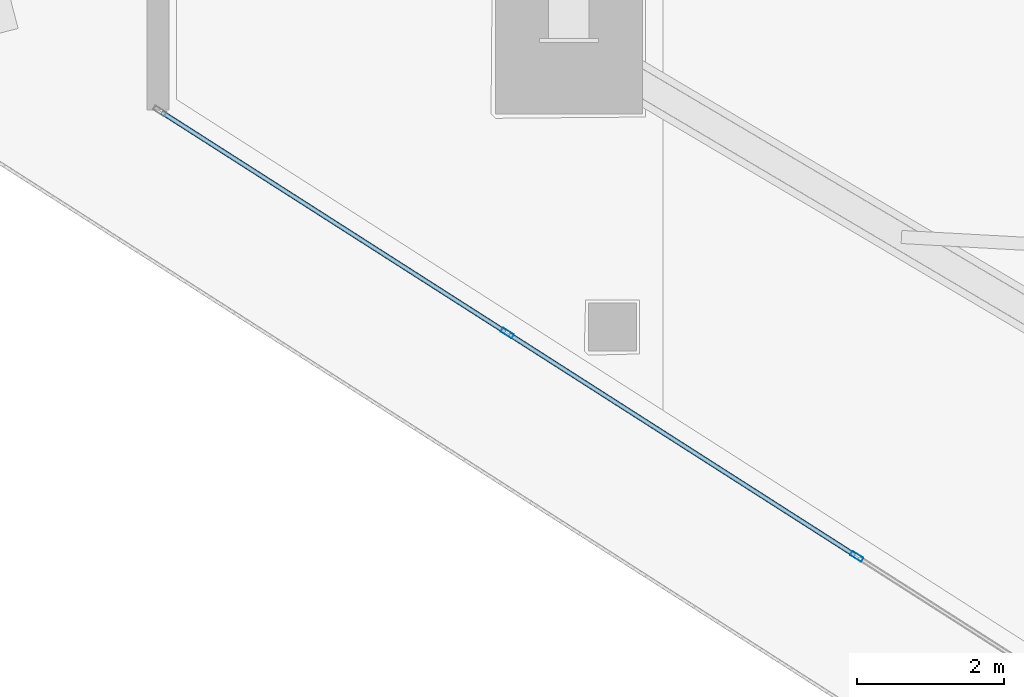
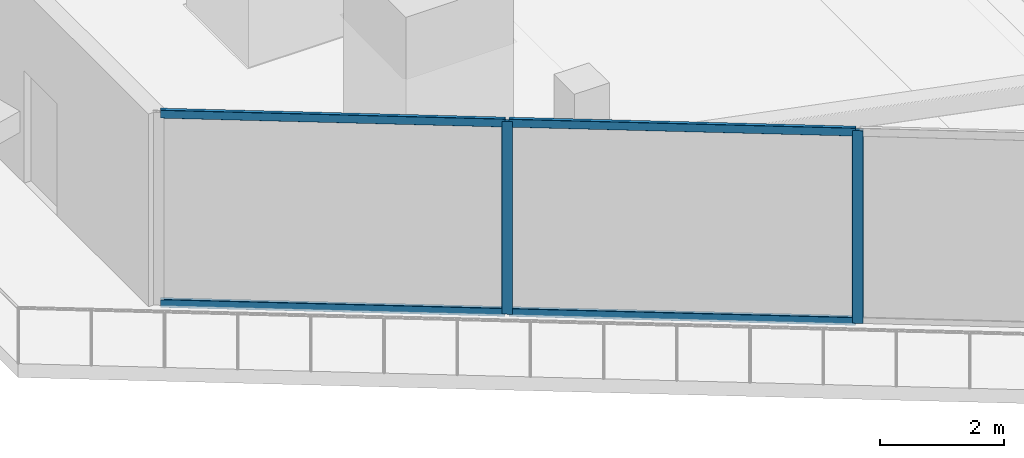
# One storey, part 5 of 39: 6 members, 1 element without a shape of its own.
"""IFC4 building model written with IfcOpenShell, lengths in metres."""

import ifcopenshell
import ifcopenshell.guid

model = None  # the IFC model being written
_history = None  # IfcOwnerHistory: only IFC2X3 demands one
_inside = {}  # id of a spatial element -> (the spatial element, [elements in it])
_under = {}  # id of a project, library or spatial element -> (it, [spatial elements below it])
_declared = {}  # id of a project -> (the project, [libraries it declares])
_typed = {}  # id of a type object -> (the type object, [elements of that type])
_made_of = {}  # id of a material, layer set ... -> (it, [elements and type objects made of it])


def new_model(schema):
    """Start an empty IFC model of exactly this schema.

    Asked for "IFC4X3", IfcOpenShell would pick the latest addendum, in which some entities
    have other attributes; the version numbers below select the first issue.
    IFC2X3 requires an IfcOwnerHistory on every rooted entity: one is made here for all.
    """
    global model, _history
    if schema == "IFC4X3":
        model = ifcopenshell.file(schema_version=(4, 3, 0, 0))
    else:
        model = ifcopenshell.file(schema=schema)
    _inside.clear()
    _under.clear()
    _declared.clear()
    _typed.clear()
    _made_of.clear()
    _history = None
    if model.schema == "IFC2X3":
        org = make("IfcOrganization", Name="unknown")
        user = make(
            "IfcPersonAndOrganization",
            ThePerson=make("IfcPerson", FamilyName="unknown"),
            TheOrganization=org,
        )
        app = make(
            "IfcApplication",
            ApplicationDeveloper=org,
            Version="unknown",
            ApplicationFullName="unknown",
            ApplicationIdentifier="unknown",
        )
        _history = make(
            "IfcOwnerHistory",
            OwningUser=user,
            OwningApplication=app,
            ChangeAction="ADDED",
            CreationDate=0,
        )
    return model


def make(cls, **values):
    """One entity of the class cls with the attributes given. An attribute that is None is left unset."""
    return model.create_entity(
        cls, **{name: value for name, value in values.items() if value is not None}
    )


def rooted(cls, **values):
    """An entity with a GlobalId (a new one), such as an element, a storey or a relation."""
    return make(cls, GlobalId=ifcopenshell.guid.new(), OwnerHistory=_history, **values)


def si_unit(unit_type, name, prefix=None):
    """IfcSIUnit, for example si_unit("LENGTHUNIT", "METRE", prefix="MILLI")."""
    return make("IfcSIUnit", UnitType=unit_type, Prefix=prefix, Name=name)


def assignment(units):
    """IfcUnitAssignment: the units of a project."""
    return None if units is None else make("IfcUnitAssignment", Units=units)


def point(xyz):
    """IfcCartesianPoint."""
    return None if xyz is None else make("IfcCartesianPoint", Coordinates=xyz)


def direction(xyz):
    """IfcDirection."""
    return None if xyz is None else make("IfcDirection", DirectionRatios=xyz)


def frame(location, z_axis=None, x_axis=None):
    """IfcAxis2Placement3D, a coordinate frame: its origin and axes. An axis left out is left unset."""
    return make(
        "IfcAxis2Placement3D",
        Location=point(location),
        Axis=direction(z_axis),
        RefDirection=direction(x_axis),
    )


def frame_2d(location, x_axis=None):
    """IfcAxis2Placement2D, a coordinate frame in the plane: its origin and x axis."""
    return make(
        "IfcAxis2Placement2D", Location=point(location), RefDirection=direction(x_axis)
    )


def origin():
    """The frame at (0, 0, 0) with its axes left unset."""
    return frame((0.0, 0.0, 0.0))


def origin_2d():
    """The frame at (0, 0) in the plane with its x axis left unset."""
    return frame_2d((0.0, 0.0))


def place(relative_to, where):
    """IfcLocalPlacement: puts the frame where relative to a parent placement (None: the world)."""
    return make(
        "IfcLocalPlacement", PlacementRelTo=relative_to, RelativePlacement=where
    )


def context(
    kind, dimensions, precision=None, world=None, true_north=None, identifier=None
):
    """IfcGeometricRepresentationContext, for example the 3D "Model" context."""
    return make(
        "IfcGeometricRepresentationContext",
        ContextIdentifier=identifier,
        ContextType=kind,
        CoordinateSpaceDimension=dimensions,
        Precision=precision,
        WorldCoordinateSystem=world,
        TrueNorth=true_north,
    )


def subcontext(parent, identifier, kind, view, scale=None):
    """IfcGeometricRepresentationSubContext, for example "Body" below "Model"."""
    return make(
        "IfcGeometricRepresentationSubContext",
        ContextIdentifier=identifier,
        ContextType=kind,
        ParentContext=parent,
        TargetScale=scale,
        TargetView=view,
    )


def project(units=None, contexts=None):
    """IfcProject with its units and contexts."""
    return rooted(
        "IfcProject",
        Name="project",
        RepresentationContexts=contexts,
        UnitsInContext=assignment(units),
    )


def spatial(cls, under=None, at=None, **own):
    """A site, building, storey or space (cls), placed at a placement, below another one or the project."""
    s = rooted(cls, ObjectPlacement=at, **own)
    if under is not None:
        _under.setdefault(under.id(), (under, []))[1].append(s)
    return s


def profile(cls, at=None, kind="AREA", **sizes):
    """A parametric profile (cls). Its sizes go by their IFC names, for example OverallWidth=200.0."""
    return make(cls, ProfileType=kind, Position=at, **sizes)


def hollow_rectangle(**sizes):
    """IfcRectangleHollowProfileDef."""
    return profile("IfcRectangleHollowProfileDef", **sizes)


def extrude(swept, where, along, depth):
    """IfcExtrudedAreaSolid: the profile swept, set in the frame where, extruded along a direction by depth."""
    return make(
        "IfcExtrudedAreaSolid",
        SweptArea=swept,
        Position=where,
        ExtrudedDirection=direction(along),
        Depth=depth,
    )


def shape(context_of_items, identifier, shape_type, items):
    """IfcShapeRepresentation: the items that make up one representation, for example the "Body"."""
    return make(
        "IfcShapeRepresentation",
        ContextOfItems=context_of_items,
        RepresentationIdentifier=identifier,
        RepresentationType=shape_type,
        Items=items,
    )


def material(Name=None, Category=None):
    """IfcMaterial."""
    return make("IfcMaterial", Name=Name, Category=Category)


def layer(
    of_material, thickness, ventilated=None, Name=None, Category=None, Priority=None
):
    """IfcMaterialLayer: one layer of a wall or slab, of a material (None: an air gap)."""
    return make(
        "IfcMaterialLayer",
        Material=of_material,
        LayerThickness=thickness,
        IsVentilated=ventilated,
        Name=Name,
        Category=Category,
        Priority=Priority,
    )


def layer_set(layers, Name=None):
    """IfcMaterialLayerSet."""
    return make("IfcMaterialLayerSet", MaterialLayers=layers, LayerSetName=Name)


def material_profile(
    of_material, cross_section, Name=None, Category=None, Priority=None
):
    """IfcMaterialProfile: a cross section and its material."""
    return make(
        "IfcMaterialProfile",
        Name=Name,
        Material=of_material,
        Profile=cross_section,
        Priority=Priority,
        Category=Category,
    )


def profile_set(profiles, Name=None, composite=None):
    """IfcMaterialProfileSet."""
    return make(
        "IfcMaterialProfileSet",
        Name=Name,
        MaterialProfiles=profiles,
        CompositeProfile=composite,
    )


def made_of(thing, what):
    """Note that an element or type object is made of a material, layer set ...; save() writes the relation."""
    if what is not None:
        _made_of.setdefault(what.id(), (what, []))[1].append(thing)
    return thing


def type_object(cls, material=None, **own):
    """A type object (cls), such as IfcWallType, which elements share."""
    return made_of(rooted(cls, **own), material)


def element(
    cls,
    number,
    at=None,
    inside=None,
    cuts=None,
    type_object=None,
    material=None,
    context=None,
    identifier="Body",
    shape_type=None,
    held_by="IfcProductDefinitionShape",
    body=None,
    shapes=None,
    **own,
):
    """One element of the class cls, such as IfcWall. Its Tag is "e" and its number.

    at: its placement. inside: the storey or other place that contains it. cuts: it is an
    opening in that element (IfcRelVoidsElement). A single representation is given by context,
    identifier, shape_type and body (its items); several are given by shapes. held_by: the class
    of the entity that holds the representations. save() writes the other relations.
    """
    e = rooted(cls, Tag="e%d" % number, ObjectPlacement=at, **own)
    if body is not None:
        shapes = [shape(context, identifier, shape_type, body)]
    if shapes is not None:
        e.Representation = make(held_by, Representations=shapes)
    if inside is not None:
        _inside.setdefault(inside.id(), (inside, []))[1].append(e)
    if cuts is not None:
        rooted(
            "IfcRelVoidsElement", RelatingBuildingElement=cuts, RelatedOpeningElement=e
        )
    if type_object is not None:
        _typed.setdefault(type_object.id(), (type_object, []))[1].append(e)
    return made_of(e, material)


def aggregate(whole, parts):
    """IfcRelAggregates: a whole, such as a stair, and the parts it consists of."""
    return rooted("IfcRelAggregates", RelatingObject=whole, RelatedObjects=parts)


def save(model, path):
    """Write the relations noted so far, then the file.

    IfcRelAggregates (storeys below a building ...), IfcRelContainedInSpatialStructure (elements
    in a storey), IfcRelDefinesByType, IfcRelAssociatesMaterial and IfcRelDeclares: one each for
    every whole, place, type object, material and project.
    """
    for whole, parts in _under.values():
        aggregate(whole, parts)
    for where, things in _inside.values():
        rooted(
            "IfcRelContainedInSpatialStructure",
            RelatedElements=things,
            RelatingStructure=where,
        )
    for kind, things in _typed.values():
        rooted("IfcRelDefinesByType", RelatedObjects=things, RelatingType=kind)
    for what, things in _made_of.values():
        rooted("IfcRelAssociatesMaterial", RelatedObjects=things, RelatingMaterial=what)
    for by, libraries in _declared.values():
        rooted("IfcRelDeclares", RelatingContext=by, RelatedDefinitions=libraries)
    model.write(path)


model = new_model("IFC4")

# Units and contexts
model_context = context("Model", 3, precision=1e-05, world=origin(), true_north=direction((0.0, 1.0)))
body_context = subcontext(model_context, "Body", "Model", "MODEL_VIEW")
ifc_project = project(units=[si_unit("LENGTHUNIT", "METRE"), si_unit("AREAUNIT", "SQUARE_METRE"), si_unit("VOLUMEUNIT", "CUBIC_METRE"), si_unit("PLANEANGLEUNIT", "RADIAN"), si_unit("MASSUNIT", "GRAM", prefix="KILO")], contexts=[model_context])

# Site, building, storey
site_placement = place(None, origin())
site = spatial("IfcSite", under=ifc_project, at=site_placement, CompositionType="ELEMENT")
building_placement = place(site_placement, origin())
building = spatial("IfcBuilding", under=site, at=building_placement, Name="Qorvath Tower", CompositionType="ELEMENT")
storey_placement = place(building_placement, frame((0.0, 0.0, 201.0)))
storey = spatial("IfcBuildingStorey", under=building, at=storey_placement, Name="L46", CompositionType="ELEMENT", Elevation=201.0)

# Curtain wall, members
ifc_material_1 = material(Name="Anodised aluminium and triple low-E glass", Category="aluminium")
ifc_layer = layer(ifc_material_1, 0.179931640625)
ifc_layer_set = layer_set([ifc_layer], Name="CW-SYS-3")
curtain_wall_type = type_object("IfcCurtainWallType", Name="CW-SYS-3", PredefinedType="NOTDEFINED", material=ifc_layer_set)
curtain_wall_placement = place(storey_placement, origin())
curtain_wall = element("IfcCurtainWall", 1, at=curtain_wall_placement, inside=storey, type_object=curtain_wall_type, Name="Curtain Wall CW-3 CW-T-L46-2.1", PredefinedType="NOTDEFINED")
ifc_material_2 = material(Name="Anodised aluminium 6063-T6", Category="aluminium")
ifc_material_profile_1 = material_profile(ifc_material_2, hollow_rectangle(XDim=0.06494140625, YDim=0.179931640625, WallThickness=0.00341796875, InnerFilletRadius=0.00341796875, OuterFilletRadius=0.007080078125, at=origin_2d()), Name="CWM 180x65")
ifc_profile_set_1 = profile_set([ifc_material_profile_1], Name="Anodised aluminium 6063-T6")
member_type_1 = type_object("IfcMemberType", Name="CWM-180", PredefinedType="MULLION", material=ifc_profile_set_1)
member_1_placement = place(storey_placement, frame((-50.01025390625, -6.5087890625, 0.0), z_axis=(0.0, 0.0, 1.0), x_axis=(0.538533623725, 0.842604020948, 0.0)))
member_1 = element("IfcMember", 2, at=member_1_placement, type_object=member_type_1, Name="CW-3 mullion 2", PredefinedType="MULLION", context=body_context, shape_type="SweptSolid", body=[
    extrude(hollow_rectangle(XDim=0.06494140625, YDim=0.179931640625, WallThickness=0.00341796875, InnerFilletRadius=0.00341796875, OuterFilletRadius=0.007080078125, at=origin_2d()), origin(), (0.0, 0.0, 1.0), 3.780029296875),
])
member_2_placement = place(storey_placement, frame((-45.2578125, -9.54638671875, 0.0), z_axis=(0.0, 0.0, 1.0), x_axis=(0.538533623725, 0.842604020948, 0.0)))
member_2 = element("IfcMember", 3, at=member_2_placement, type_object=member_type_1, Name="CW-3 mullion 3", PredefinedType="MULLION", context=body_context, shape_type="SweptSolid", body=[
    extrude(hollow_rectangle(XDim=0.06494140625, YDim=0.179931640625, WallThickness=0.00341796875, InnerFilletRadius=0.00341796875, OuterFilletRadius=0.007080078125, at=origin_2d()), origin(), (0.0, 0.0, 1.0), 3.780029296875),
])
ifc_material_3 = material(Name="Anodised aluminium 6063-T6", Category="aluminium")
ifc_material_profile_2 = material_profile(ifc_material_3, hollow_rectangle(XDim=0.06494140625, YDim=0.159912109375, WallThickness=0.00341796875, InnerFilletRadius=0.00341796875, OuterFilletRadius=0.007080078125, at=origin_2d()), Name="CWT 160x65")
ifc_profile_set_2 = profile_set([ifc_material_profile_2], Name="Anodised aluminium 6063-T6")
member_type_2 = type_object("IfcMemberType", Name="CWT-160", PredefinedType="USERDEFINED", material=ifc_profile_set_2)
member_3_placement = place(storey_placement, frame((-54.7080078125, -3.50634765625, 0.032470703125), z_axis=(0.842595217297, -0.538547397903, 0.0), x_axis=(0.538547397903, 0.842595217297, 0.0)))
member_3 = element("IfcMember", 4, at=member_3_placement, type_object=member_type_2, Name="CW-3 transom 1.1", ObjectType="TRANSOM", PredefinedType="USERDEFINED", context=body_context, shape_type="SweptSolid", body=[
    extrude(hollow_rectangle(XDim=0.06494140625, YDim=0.159912109375, WallThickness=0.00341796875, InnerFilletRadius=0.00341796875, OuterFilletRadius=0.007080078125, at=origin_2d()), origin(), (0.0, 0.0, 1.0), 5.54296875),
])
member_4_placement = place(storey_placement, frame((-54.7080078125, -3.50634765625, 3.74755859375), z_axis=(0.842595217297, -0.538547397903, 0.0), x_axis=(0.538547397903, 0.842595217297, 0.0)))
member_4 = element("IfcMember", 5, at=member_4_placement, type_object=member_type_2, Name="CW-3 transom 1.2", ObjectType="TRANSOM", PredefinedType="USERDEFINED", context=body_context, shape_type="SweptSolid", body=[
    extrude(hollow_rectangle(XDim=0.06494140625, YDim=0.159912109375, WallThickness=0.00341796875, InnerFilletRadius=0.00341796875, OuterFilletRadius=0.007080078125, at=origin_2d()), origin(), (0.0, 0.0, 1.0), 5.54296875),
])
member_5_placement = place(storey_placement, frame((-49.98291015625, -6.5263671875, 0.032470703125), z_axis=(0.842606844645, -0.538529205667, 0.0), x_axis=(0.538529205667, 0.842606844645, 0.0)))
member_5 = element("IfcMember", 6, at=member_5_placement, type_object=member_type_2, Name="CW-3 transom 2.1", ObjectType="TRANSOM", PredefinedType="USERDEFINED", context=body_context, shape_type="SweptSolid", body=[
    extrude(hollow_rectangle(XDim=0.06494140625, YDim=0.159912109375, WallThickness=0.00341796875, InnerFilletRadius=0.00341796875, OuterFilletRadius=0.007080078125, at=origin_2d()), origin(), (0.0, 0.0, 1.0), 5.5751953125),
])
member_6_placement = place(storey_placement, frame((-49.98291015625, -6.5263671875, 3.74755859375), z_axis=(0.842606844645, -0.538529205667, 0.0), x_axis=(0.538529205667, 0.842606844645, 0.0)))
member_6 = element("IfcMember", 7, at=member_6_placement, type_object=member_type_2, Name="CW-3 transom 2.2", ObjectType="TRANSOM", PredefinedType="USERDEFINED", context=body_context, shape_type="SweptSolid", body=[
    extrude(hollow_rectangle(XDim=0.06494140625, YDim=0.159912109375, WallThickness=0.00341796875, InnerFilletRadius=0.00341796875, OuterFilletRadius=0.007080078125, at=origin_2d()), origin(), (0.0, 0.0, 1.0), 5.5751953125),
])
aggregate(curtain_wall, [member_1, member_2, member_3, member_4, member_5, member_6])

save(model, "model.ifc")
